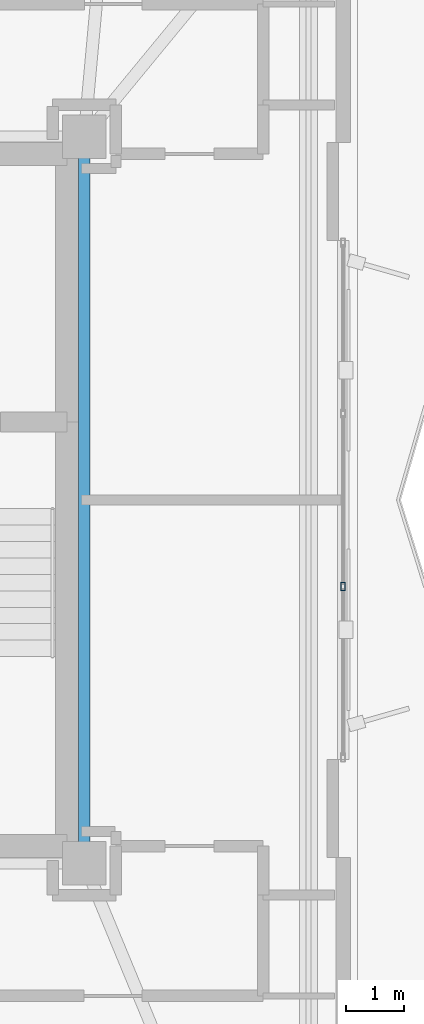
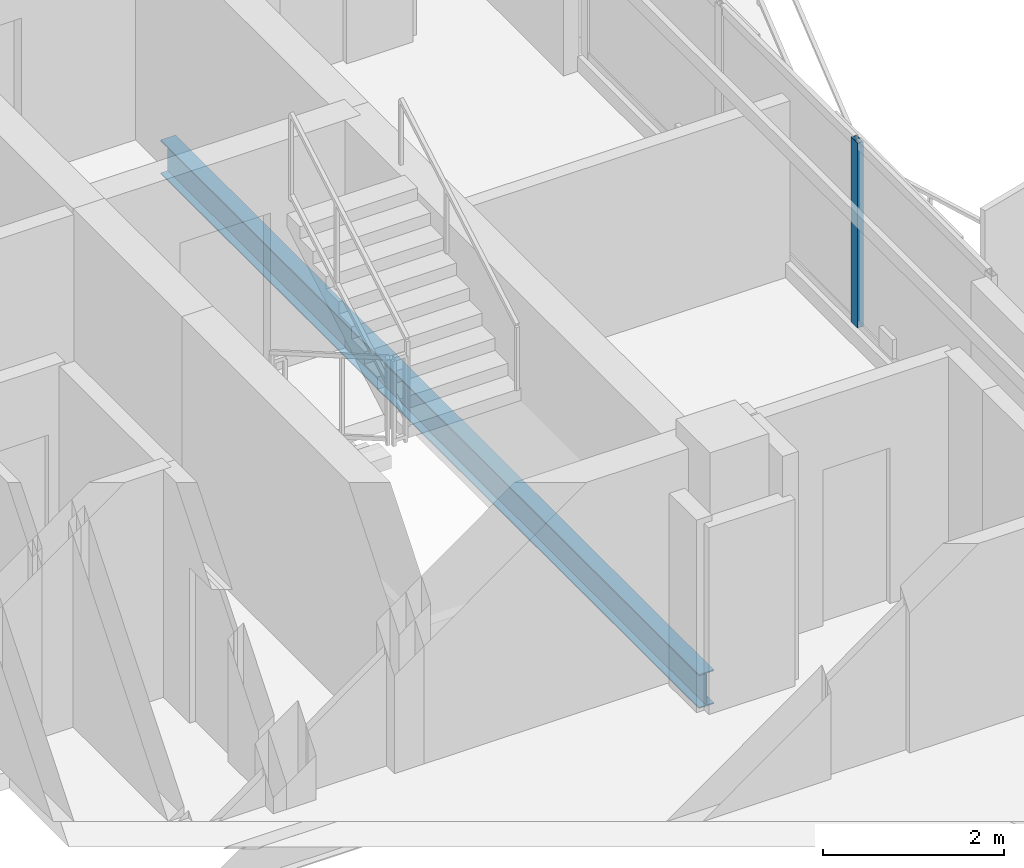
# One storey, part 11 of 22: 1 beam, 1 member, 1 element without a shape of its own.
"""IFC4 building model written with IfcOpenShell, lengths in metres."""

from ifc_helpers import new_model, si_unit, direction, frame, origin, origin_2d, place, context, subcontext, project, spatial, hollow_rectangle, i_section, extrude, material, layer, layer_set, material_profile, profile_set, type_object, element, aggregate, save


model = new_model("IFC4")

# Units and contexts
model_context = context("Model", 3, precision=1e-05, world=origin(), true_north=direction((0.0, 1.0)))
body_context = subcontext(model_context, "Body", "Model", "MODEL_VIEW")
ifc_project = project(units=[si_unit("LENGTHUNIT", "METRE"), si_unit("AREAUNIT", "SQUARE_METRE"), si_unit("VOLUMEUNIT", "CUBIC_METRE"), si_unit("PLANEANGLEUNIT", "RADIAN"), si_unit("MASSUNIT", "GRAM", prefix="KILO")], contexts=[model_context])

# Site, building, storey
site_placement = place(None, origin())
site = spatial("IfcSite", under=ifc_project, at=site_placement, CompositionType="ELEMENT")
building_placement = place(site_placement, origin())
building = spatial("IfcBuilding", under=site, at=building_placement, Name="Mersakhor Tower and Convention Hall", CompositionType="ELEMENT")
storey_placement = place(building_placement, frame((0.0, 0.0, 188.699951171875)))
storey = spatial("IfcBuildingStorey", under=building, at=storey_placement, Name="L52", CompositionType="ELEMENT", Elevation=188.699951171875)

# Beam
ifc_material_1 = material(Name="Steel S355", Category="steel")
ifc_material_profile_1 = material_profile(ifc_material_1, i_section(OverallWidth=0.19140625, OverallDepth=0.4599609375, WebThickness=0.010009765625, FlangeThickness=0.01611328125, at=origin_2d()), Name="UB 457x191x82")
ifc_profile_set_1 = profile_set([ifc_material_profile_1], Name="Steel S355")
beam_type = type_object("IfcBeamType", Name="BM-FB-457", PredefinedType="BEAM", material=ifc_profile_set_1)
beam_placement = place(storey_placement, frame((36.10009765625, 32.695068359375, -0.4599609375), z_axis=(0.0, -1.0, 0.0), x_axis=(1.0, 0.0, 0.0)))
element("IfcBeam", 1, at=beam_placement, inside=storey, type_object=beam_type, Name="L52 Core Ring Tie Beam CRB-3", PredefinedType="BEAM", context=body_context, shape_type="SweptSolid", body=[
    extrude(i_section(OverallWidth=0.19140625, OverallDepth=0.4599609375, WebThickness=0.010009765625, FlangeThickness=0.01611328125, at=origin_2d()), origin(), (0.0, 0.0, 1.0), 11.89013671875),
])

# Curtain wall, member
ifc_material_2 = material(Name="Dark solar low-E aluminium curtain wall", Category="aluminium")
ifc_layer = layer(ifc_material_2, 0.169921875)
ifc_layer_set = layer_set([ifc_layer], Name="Dark solar low-E aluminium curtain wall")
curtain_wall_type = type_object("IfcCurtainWallType", Name="CW-SYS-02", PredefinedType="USERDEFINED", material=ifc_layer_set)
curtain_wall_placement = place(storey_placement, origin())
curtain_wall = element("IfcCurtainWall", 2, at=curtain_wall_placement, inside=storey, type_object=curtain_wall_type, Name="L52 Dark-Glass Curtain Wall F2-B2", ObjectType="CURTAIN WALL", PredefinedType="USERDEFINED")
ifc_material_3 = material(Name="Anodised aluminium EN AW-6063 T6", Category="aluminium")
ifc_material_profile_2 = material_profile(ifc_material_3, hollow_rectangle(XDim=0.074951171875, YDim=0.14990234375, WallThickness=0.00634765625, at=origin_2d()), Name="RHS 150x75x6.3")
ifc_profile_set_2 = profile_set([ifc_material_profile_2], Name="Anodised aluminium EN AW-6063 T6")
member_type = type_object("IfcMemberType", Name="CWM-150x75", PredefinedType="MULLION", material=ifc_profile_set_2)
member_placement = place(storey_placement, frame((40.58837890625, 25.250244140625, 0.199951171875), z_axis=(0.0, 0.0, 1.0), x_axis=(1.0, 0.0, 0.0)))
member = element("IfcMember", 3, at=member_placement, type_object=member_type, Name="CW-02 mullion 3", PredefinedType="MULLION", context=body_context, shape_type="SweptSolid", body=[
    extrude(hollow_rectangle(XDim=0.074951171875, YDim=0.14990234375, WallThickness=0.00634765625, at=origin_2d()), origin(), (0.0, 0.0, 1.0), 2.489990234375),
])
aggregate(curtain_wall, [member])

save(model, "model.ifc")
